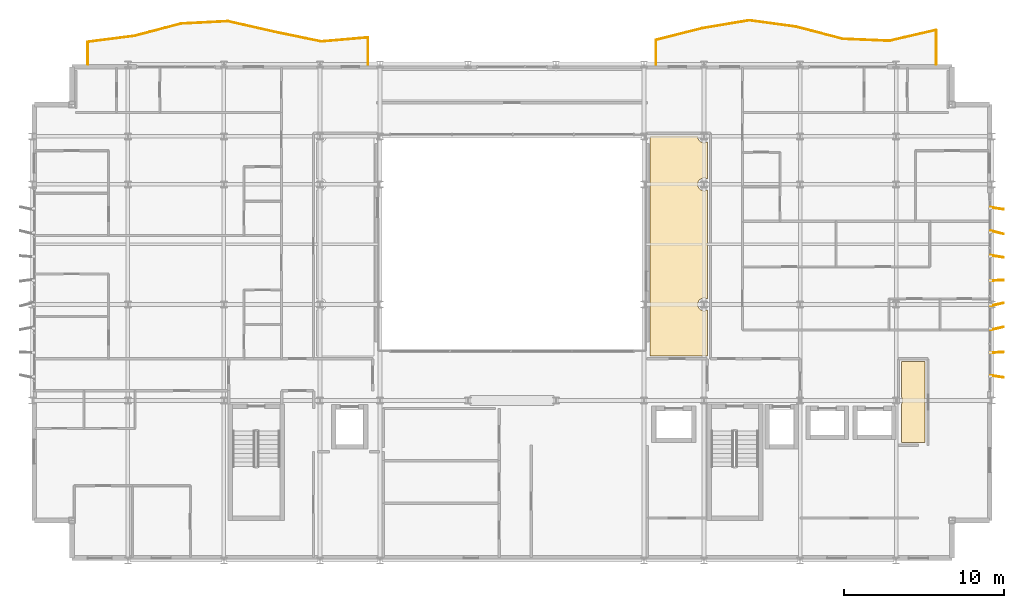
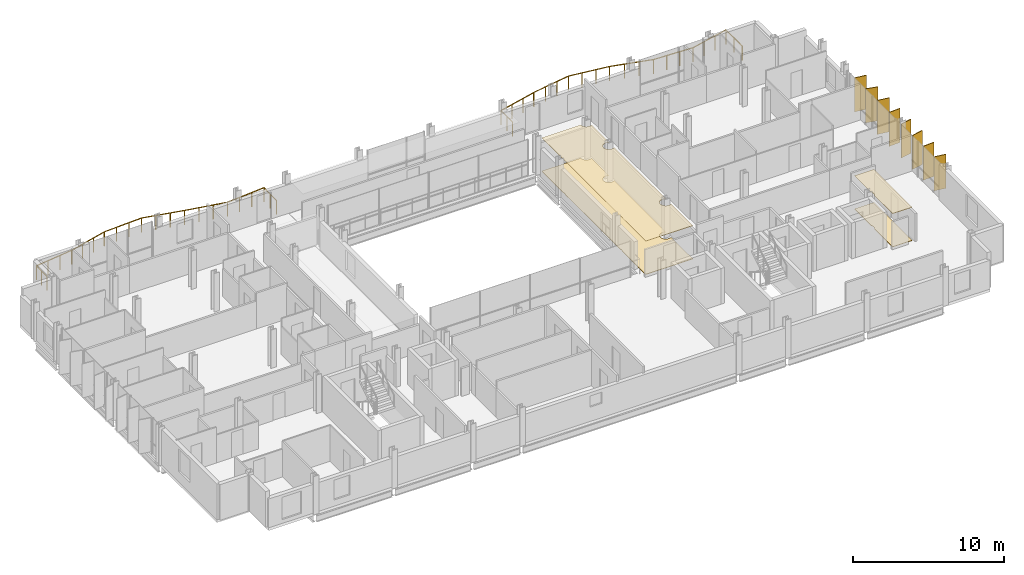
# One storey, part 38 of 38: 8 shading devices, 4 coverings, 2 railings.
"""IFC4 building model written with IfcOpenShell, lengths in metres."""

from ifc_helpers import new_model, si_unit, direction, frame, origin, origin_2d, place, context, subcontext, project, spatial, polyline, rectangle, circle, outline, extrude, material, layer, layer_set, type_object, element, save


model = new_model("IFC4")

# Units and contexts
model_context = context("Model", 3, precision=1e-05, world=origin(), true_north=direction((0.0, 1.0)))
body_context = subcontext(model_context, "Body", "Model", "MODEL_VIEW")
ifc_project = project(units=[si_unit("LENGTHUNIT", "METRE"), si_unit("AREAUNIT", "SQUARE_METRE"), si_unit("VOLUMEUNIT", "CUBIC_METRE"), si_unit("PLANEANGLEUNIT", "RADIAN"), si_unit("MASSUNIT", "GRAM", prefix="KILO")], contexts=[model_context])

# Site, building, storey
site_placement = place(None, origin())
site = spatial("IfcSite", under=ifc_project, at=site_placement, CompositionType="ELEMENT")
building_placement = place(site_placement, origin())
building = spatial("IfcBuilding", under=site, at=building_placement, Name="Brevholm Reach", CompositionType="ELEMENT")
storey_placement = place(building_placement, frame((0.0, 0.0, 141.800048828125)))
storey = spatial("IfcBuildingStorey", under=building, at=storey_placement, Name="L42", CompositionType="ELEMENT", Elevation=141.800048828125)

# Coverings
ifc_material_1 = material(Name="Moisture-Resistant Skimmed Gypsum Plasterboard Ceiling", Category="gypsum")
ifc_layer_1 = layer(ifc_material_1, 0.030029296875)
ifc_layer_set_1 = layer_set([ifc_layer_1], Name="Moisture-Resistant Skimmed Gypsum Plasterboard Ceiling")
covering_type_1 = type_object("IfcCoveringType", Name="COV-CLG-GYP", PredefinedType="CEILING", material=ifc_layer_set_1)
covering_1_placement = place(storey_placement, frame((0.0, 0.0, 2.679931640625)))
element("IfcCovering", 1, at=covering_1_placement, inside=storey, type_object=covering_type_1, Name="L42 Suspended Ceiling L42-22", PredefinedType="CEILING", context=body_context, shape_type="SweptSolid", body=[
    extrude(outline(polyline([(54.330078125, 9.7626953125), (54.33056640625, 9.764892578125), (54.33251953125, 9.777587890625), (54.33251953125, 9.77783203125), (54.352783203125, 9.811279296875), (54.36962890625, 9.846923828125), (54.3828125, 9.8837890625), (54.392333984375, 9.922119140625), (54.398193359375, 9.960693359375), (54.39990234375, 10.0), (54.398193359375, 10.039306640625), (54.392333984375, 10.077880859375), (54.3828125, 10.1162109375), (54.36962890625, 10.153076171875), (54.352783203125, 10.188720703125), (54.333984375, 10.219970703125), (54.333984375, 12.419921875), (55.81591796875, 12.419921875), (55.81591796875, 7.3798828125), (55.437255859375, 7.3798828125), (55.43505859375, 7.380615234375), (55.41748046875, 7.383056640625), (55.39990234375, 7.384033203125), (54.330078125, 7.384033203125), (54.330078125, 9.7626953125)])), origin(), (0.0, 0.0, 1.0), 0.030029296875),
])
covering_2_placement = place(storey_placement, frame((0.0, 0.0, 2.679931640625)))
element("IfcCovering", 2, at=covering_2_placement, inside=storey, type_object=covering_type_1, Name="L42 Suspended Ceiling L42-54", PredefinedType="CEILING", context=body_context, shape_type="SweptSolid", body=[
    extrude(outline(polyline([(38.6298828125, 15.876220703125), (38.6328125, 15.8837890625), (38.642333984375, 15.922119140625), (38.648193359375, 15.960693359375), (38.64990234375, 16.0), (38.648193359375, 16.039306640625), (38.642333984375, 16.077880859375), (38.6328125, 16.1162109375), (38.6298828125, 16.123779296875), (38.6298828125, 23.376220703125), (38.6328125, 23.3837890625), (38.642333984375, 23.422119140625), (38.648193359375, 23.460693359375), (38.64990234375, 23.5), (38.648193359375, 23.539306640625), (38.642333984375, 23.577880859375), (38.6328125, 23.6162109375), (38.6298828125, 23.623779296875), (38.6298828125, 26.376220703125), (38.6328125, 26.3837890625), (38.642333984375, 26.422119140625), (38.648193359375, 26.460693359375), (38.64990234375, 26.5), (38.649169921875, 26.51611328125), (41.600830078125, 26.51611328125), (41.60009765625, 26.5), (41.601806640625, 26.460693359375), (41.607666015625, 26.422119140625), (41.6171875, 26.3837890625), (41.63037109375, 26.346923828125), (41.647216796875, 26.311279296875), (41.66748046875, 26.27783203125), (41.69091796875, 26.24609375), (41.71728515625, 26.21728515625), (41.74609375, 26.19091796875), (41.77783203125, 26.16748046875), (41.811279296875, 26.147216796875), (41.846923828125, 26.13037109375), (41.8837890625, 26.1171875), (41.922119140625, 26.107666015625), (41.960693359375, 26.101806640625), (42.0, 26.10009765625), (42.039306640625, 26.101806640625), (42.077880859375, 26.107666015625), (42.1162109375, 26.1171875), (42.153076171875, 26.13037109375), (42.188720703125, 26.147216796875), (42.216064453125, 26.163818359375), (42.216064453125, 23.836181640625), (42.188720703125, 23.852783203125), (42.153076171875, 23.86962890625), (42.1162109375, 23.8828125), (42.077880859375, 23.892333984375), (42.039306640625, 23.898193359375), (42.0, 23.89990234375), (41.960693359375, 23.898193359375), (41.922119140625, 23.892333984375), (41.8837890625, 23.8828125), (41.846923828125, 23.86962890625), (41.811279296875, 23.852783203125), (41.77783203125, 23.83251953125), (41.74609375, 23.80908203125), (41.71728515625, 23.78271484375), (41.69091796875, 23.75390625), (41.66748046875, 23.72216796875), (41.647216796875, 23.688720703125), (41.63037109375, 23.653076171875), (41.6171875, 23.6162109375), (41.607666015625, 23.577880859375), (41.601806640625, 23.539306640625), (41.60009765625, 23.5), (41.601806640625, 23.460693359375), (41.607666015625, 23.422119140625), (41.6171875, 23.3837890625), (41.63037109375, 23.346923828125), (41.647216796875, 23.311279296875), (41.66748046875, 23.27783203125), (41.69091796875, 23.24609375), (41.71728515625, 23.21728515625), (41.74609375, 23.19091796875), (41.77783203125, 23.16748046875), (41.811279296875, 23.147216796875), (41.846923828125, 23.13037109375), (41.8837890625, 23.1171875), (41.922119140625, 23.107666015625), (41.960693359375, 23.101806640625), (42.0, 23.10009765625), (42.039306640625, 23.101806640625), (42.077880859375, 23.107666015625), (42.1162109375, 23.1171875), (42.153076171875, 23.13037109375), (42.188720703125, 23.147216796875), (42.216064453125, 23.163818359375), (42.216064453125, 16.336181640625), (42.188720703125, 16.352783203125), (42.153076171875, 16.36962890625), (42.1162109375, 16.3828125), (42.077880859375, 16.392333984375), (42.039306640625, 16.398193359375), (42.0, 16.39990234375), (41.960693359375, 16.398193359375), (41.922119140625, 16.392333984375), (41.8837890625, 16.3828125), (41.846923828125, 16.36962890625), (41.811279296875, 16.352783203125), (41.77783203125, 16.33251953125), (41.74609375, 16.30908203125), (41.71728515625, 16.28271484375), (41.69091796875, 16.25390625), (41.66748046875, 16.22216796875), (41.647216796875, 16.188720703125), (41.63037109375, 16.153076171875), (41.6171875, 16.1162109375), (41.607666015625, 16.077880859375), (41.601806640625, 16.039306640625), (41.60009765625, 16.0), (41.601806640625, 15.960693359375), (41.607666015625, 15.922119140625), (41.6171875, 15.8837890625), (41.63037109375, 15.846923828125), (41.647216796875, 15.811279296875), (41.66748046875, 15.77783203125), (41.69091796875, 15.74609375), (41.71728515625, 15.71728515625), (41.74609375, 15.69091796875), (41.77783203125, 15.66748046875), (41.811279296875, 15.647216796875), (41.846923828125, 15.63037109375), (41.8837890625, 15.6171875), (41.922119140625, 15.607666015625), (41.960693359375, 15.601806640625), (42.0, 15.60009765625), (42.039306640625, 15.601806640625), (42.077880859375, 15.607666015625), (42.1162109375, 15.6171875), (42.153076171875, 15.63037109375), (42.188720703125, 15.647216796875), (42.216064453125, 15.663818359375), (42.216064453125, 12.783935546875), (38.6298828125, 12.783935546875), (38.6298828125, 15.876220703125)])), origin(), (0.0, 0.0, 1.0), 0.030029296875),
])
ifc_material_2 = material(Name="Honed Portland-Aggregate Resin Terrazzo Flooring", Category="concrete")
ifc_layer_2 = layer(ifc_material_2, 0.031982421875)
ifc_layer_set_2 = layer_set([ifc_layer_2], Name="Honed Portland-Aggregate Resin Terrazzo Flooring")
covering_type_2 = type_object("IfcCoveringType", Name="COV-FLR-TRZ", PredefinedType="FLOORING", material=ifc_layer_set_2)
covering_3_placement = place(storey_placement, origin())
element("IfcCovering", 3, at=covering_3_placement, inside=storey, type_object=covering_type_2, Name="L42 Floor Finish L42-22", PredefinedType="FLOORING", context=body_context, shape_type="SweptSolid", body=[
    extrude(outline(polyline([(54.330078125, 9.7626953125), (54.33056640625, 9.764892578125), (54.33251953125, 9.777587890625), (54.33251953125, 9.77783203125), (54.352783203125, 9.811279296875), (54.36962890625, 9.846923828125), (54.3828125, 9.8837890625), (54.392333984375, 9.922119140625), (54.398193359375, 9.960693359375), (54.39990234375, 10.0), (54.398193359375, 10.039306640625), (54.392333984375, 10.077880859375), (54.3828125, 10.1162109375), (54.36962890625, 10.153076171875), (54.352783203125, 10.188720703125), (54.333984375, 10.219970703125), (54.333984375, 12.419921875), (55.81591796875, 12.419921875), (55.81591796875, 7.3798828125), (55.437255859375, 7.3798828125), (55.43505859375, 7.380615234375), (55.41748046875, 7.383056640625), (55.39990234375, 7.384033203125), (54.330078125, 7.384033203125), (54.330078125, 9.7626953125)])), origin(), (0.0, 0.0, 1.0), 0.031982421875),
])
covering_4_placement = place(storey_placement, origin())
element("IfcCovering", 4, at=covering_4_placement, inside=storey, type_object=covering_type_2, Name="L42 Floor Finish L42-54", PredefinedType="FLOORING", context=body_context, shape_type="SweptSolid", body=[
    extrude(outline(polyline([(38.6298828125, 15.876220703125), (38.6328125, 15.8837890625), (38.642333984375, 15.922119140625), (38.648193359375, 15.960693359375), (38.64990234375, 16.0), (38.648193359375, 16.039306640625), (38.642333984375, 16.077880859375), (38.6328125, 16.1162109375), (38.6298828125, 16.123779296875), (38.6298828125, 23.376220703125), (38.6328125, 23.3837890625), (38.642333984375, 23.422119140625), (38.648193359375, 23.460693359375), (38.64990234375, 23.5), (38.648193359375, 23.539306640625), (38.642333984375, 23.577880859375), (38.6328125, 23.6162109375), (38.6298828125, 23.623779296875), (38.6298828125, 26.376220703125), (38.6328125, 26.3837890625), (38.642333984375, 26.422119140625), (38.648193359375, 26.460693359375), (38.64990234375, 26.5), (38.649169921875, 26.51611328125), (41.600830078125, 26.51611328125), (41.60009765625, 26.5), (41.601806640625, 26.460693359375), (41.607666015625, 26.422119140625), (41.6171875, 26.3837890625), (41.63037109375, 26.346923828125), (41.647216796875, 26.311279296875), (41.66748046875, 26.27783203125), (41.69091796875, 26.24609375), (41.71728515625, 26.21728515625), (41.74609375, 26.19091796875), (41.77783203125, 26.16748046875), (41.811279296875, 26.147216796875), (41.846923828125, 26.13037109375), (41.8837890625, 26.1171875), (41.922119140625, 26.107666015625), (41.960693359375, 26.101806640625), (42.0, 26.10009765625), (42.039306640625, 26.101806640625), (42.077880859375, 26.107666015625), (42.1162109375, 26.1171875), (42.153076171875, 26.13037109375), (42.188720703125, 26.147216796875), (42.216064453125, 26.163818359375), (42.216064453125, 23.836181640625), (42.188720703125, 23.852783203125), (42.153076171875, 23.86962890625), (42.1162109375, 23.8828125), (42.077880859375, 23.892333984375), (42.039306640625, 23.898193359375), (42.0, 23.89990234375), (41.960693359375, 23.898193359375), (41.922119140625, 23.892333984375), (41.8837890625, 23.8828125), (41.846923828125, 23.86962890625), (41.811279296875, 23.852783203125), (41.77783203125, 23.83251953125), (41.74609375, 23.80908203125), (41.71728515625, 23.78271484375), (41.69091796875, 23.75390625), (41.66748046875, 23.72216796875), (41.647216796875, 23.688720703125), (41.63037109375, 23.653076171875), (41.6171875, 23.6162109375), (41.607666015625, 23.577880859375), (41.601806640625, 23.539306640625), (41.60009765625, 23.5), (41.601806640625, 23.460693359375), (41.607666015625, 23.422119140625), (41.6171875, 23.3837890625), (41.63037109375, 23.346923828125), (41.647216796875, 23.311279296875), (41.66748046875, 23.27783203125), (41.69091796875, 23.24609375), (41.71728515625, 23.21728515625), (41.74609375, 23.19091796875), (41.77783203125, 23.16748046875), (41.811279296875, 23.147216796875), (41.846923828125, 23.13037109375), (41.8837890625, 23.1171875), (41.922119140625, 23.107666015625), (41.960693359375, 23.101806640625), (42.0, 23.10009765625), (42.039306640625, 23.101806640625), (42.077880859375, 23.107666015625), (42.1162109375, 23.1171875), (42.153076171875, 23.13037109375), (42.188720703125, 23.147216796875), (42.216064453125, 23.163818359375), (42.216064453125, 16.336181640625), (42.188720703125, 16.352783203125), (42.153076171875, 16.36962890625), (42.1162109375, 16.3828125), (42.077880859375, 16.392333984375), (42.039306640625, 16.398193359375), (42.0, 16.39990234375), (41.960693359375, 16.398193359375), (41.922119140625, 16.392333984375), (41.8837890625, 16.3828125), (41.846923828125, 16.36962890625), (41.811279296875, 16.352783203125), (41.77783203125, 16.33251953125), (41.74609375, 16.30908203125), (41.71728515625, 16.28271484375), (41.69091796875, 16.25390625), (41.66748046875, 16.22216796875), (41.647216796875, 16.188720703125), (41.63037109375, 16.153076171875), (41.6171875, 16.1162109375), (41.607666015625, 16.077880859375), (41.601806640625, 16.039306640625), (41.60009765625, 16.0), (41.601806640625, 15.960693359375), (41.607666015625, 15.922119140625), (41.6171875, 15.8837890625), (41.63037109375, 15.846923828125), (41.647216796875, 15.811279296875), (41.66748046875, 15.77783203125), (41.69091796875, 15.74609375), (41.71728515625, 15.71728515625), (41.74609375, 15.69091796875), (41.77783203125, 15.66748046875), (41.811279296875, 15.647216796875), (41.846923828125, 15.63037109375), (41.8837890625, 15.6171875), (41.922119140625, 15.607666015625), (41.960693359375, 15.601806640625), (42.0, 15.60009765625), (42.039306640625, 15.601806640625), (42.077880859375, 15.607666015625), (42.1162109375, 15.6171875), (42.153076171875, 15.63037109375), (42.188720703125, 15.647216796875), (42.216064453125, 15.663818359375), (42.216064453125, 12.783935546875), (38.6298828125, 12.783935546875), (38.6298828125, 15.876220703125)])), origin(), (0.0, 0.0, 1.0), 0.031982421875),
])

# Railings
ifc_material_3 = material(Name="Brushed Stainless Steel EN 1.4401 and Laminated Glass", Category="steel")
railing_type = type_object("IfcRailingType", Name="RAL-BALC-1150", PredefinedType="BALUSTRADE", material=ifc_material_3)
railing_1_placement = place(storey_placement, frame((56.5, 31.0, 0.0)))
element("IfcRailing", 5, at=railing_1_placement, inside=storey, type_object=railing_type, Name="L42 Guard Balustrade RAL-L42-BAL-NE", PredefinedType="BALUSTRADE", context=body_context, shape_type="SweptSolid", body=[
    extrude(circle(Radius=0.02392578125, at=origin_2d()), frame((0.0, 0.0, 1.1259765625), z_axis=(0.0, 1.0, 0.0), x_axis=(-1.0, 0.0, 0.0)), (0.0, 0.0, 1.0), 2.1455078125),
    extrude(circle(Radius=0.02392578125, at=origin_2d()), frame((0.0, 2.1455078125, 1.1259765625), z_axis=(-0.974086615793, -0.226175296912, 0.0), x_axis=(0.226175296912, -0.974086615793, 0.0)), (0.0, 0.0, 1.0), 2.994384765625),
    extrude(circle(Radius=0.02392578125, at=origin_2d()), frame((-2.916748046875, 1.46826171875, 1.1259765625), z_axis=(-0.999139150441, 0.041484431493, 0.0), x_axis=(-0.041484431493, -0.999139150441, 0.0)), (0.0, 0.0, 1.0), 2.9189453125),
    extrude(circle(Radius=0.02392578125, at=origin_2d()), frame((-5.833251953125, 1.58935546875, 1.1259765625), z_axis=(-0.967668860758, 0.252224058961, 0.0), x_axis=(-0.252224058961, -0.967668860758, 0.0)), (0.0, 0.0, 1.0), 3.01416015625),
    extrude(circle(Radius=0.02392578125, at=origin_2d()), frame((-8.75, 2.349609375, 1.1259765625), z_axis=(-0.990787222307, 0.135427767141, 0.0), x_axis=(-0.135427767141, -0.990787222307, 0.0)), (0.0, 0.0, 1.0), 2.94384765625),
    extrude(circle(Radius=0.02392578125, at=origin_2d()), frame((-11.666748046875, 2.748291015625, 1.1259765625), z_axis=(-0.986326897089, -0.164800643445, 0.0), x_axis=(0.164800643445, -0.986326897089, 0.0)), (0.0, 0.0, 1.0), 2.95703125),
    extrude(circle(Radius=0.02392578125, at=origin_2d()), frame((-14.583251953125, 2.260986328125, 1.1259765625), z_axis=(-0.969908046993, -0.243471518618, 0.0), x_axis=(0.243471518618, -0.969908046993, 0.0)), (0.0, 0.0, 1.0), 3.00732421875),
    extrude(circle(Radius=0.02392578125, at=origin_2d()), frame((-17.5, 1.52880859375, 1.1259765625), z_axis=(0.0, -1.0, 0.0), x_axis=(1.0, 0.0, 0.0)), (0.0, 0.0, 1.0), 1.52880859375),
    extrude(circle(Radius=0.02099609375, at=origin_2d()), origin(), (0.0, 0.0, 1.0), 1.101806640625),
    extrude(circle(Radius=0.02099609375, at=origin_2d()), frame((0.0, 1.07275390625, 0.0)), (0.0, 0.0, 1.0), 1.101806640625),
    extrude(circle(Radius=0.02099609375, at=origin_2d()), frame((0.0, 2.1455078125, 0.0)), (0.0, 0.0, 1.0), 1.101806640625),
    extrude(circle(Radius=0.02099609375, at=origin_2d()), frame((-0.97216796875, 1.919677734375, 0.0)), (0.0, 0.0, 1.0), 1.101806640625),
    extrude(circle(Radius=0.02099609375, at=origin_2d()), frame((-1.944580078125, 1.694091796875, 0.0)), (0.0, 0.0, 1.0), 1.101806640625),
    extrude(circle(Radius=0.02099609375, at=origin_2d()), frame((-2.916748046875, 1.46826171875, 0.0)), (0.0, 0.0, 1.0), 1.101806640625),
    extrude(circle(Radius=0.02099609375, at=origin_2d()), frame((-3.888916015625, 1.508544921875, 0.0)), (0.0, 0.0, 1.0), 1.101806640625),
    extrude(circle(Radius=0.02099609375, at=origin_2d()), frame((-4.861083984375, 1.549072265625, 0.0)), (0.0, 0.0, 1.0), 1.101806640625),
    extrude(circle(Radius=0.02099609375, at=origin_2d()), frame((-5.833251953125, 1.58935546875, 0.0)), (0.0, 0.0, 1.0), 1.101806640625),
    extrude(circle(Radius=0.02099609375, at=origin_2d()), frame((-6.805419921875, 1.8427734375, 0.0)), (0.0, 0.0, 1.0), 1.101806640625),
    extrude(circle(Radius=0.02099609375, at=origin_2d()), frame((-7.77783203125, 2.09619140625, 0.0)), (0.0, 0.0, 1.0), 1.101806640625),
    extrude(circle(Radius=0.02099609375, at=origin_2d()), frame((-8.75, 2.349609375, 0.0)), (0.0, 0.0, 1.0), 1.101806640625),
    extrude(circle(Radius=0.02099609375, at=origin_2d()), frame((-9.72216796875, 2.482421875, 0.0)), (0.0, 0.0, 1.0), 1.101806640625),
    extrude(circle(Radius=0.02099609375, at=origin_2d()), frame((-10.694580078125, 2.615478515625, 0.0)), (0.0, 0.0, 1.0), 1.101806640625),
    extrude(circle(Radius=0.02099609375, at=origin_2d()), frame((-11.666748046875, 2.748291015625, 0.0)), (0.0, 0.0, 1.0), 1.101806640625),
    extrude(circle(Radius=0.02099609375, at=origin_2d()), frame((-12.638916015625, 2.5859375, 0.0)), (0.0, 0.0, 1.0), 1.101806640625),
    extrude(circle(Radius=0.02099609375, at=origin_2d()), frame((-13.611083984375, 2.42333984375, 0.0)), (0.0, 0.0, 1.0), 1.101806640625),
    extrude(circle(Radius=0.02099609375, at=origin_2d()), frame((-14.583251953125, 2.260986328125, 0.0)), (0.0, 0.0, 1.0), 1.101806640625),
    extrude(circle(Radius=0.02099609375, at=origin_2d()), frame((-15.555419921875, 2.016845703125, 0.0)), (0.0, 0.0, 1.0), 1.101806640625),
    extrude(circle(Radius=0.02099609375, at=origin_2d()), frame((-16.52783203125, 1.77294921875, 0.0)), (0.0, 0.0, 1.0), 1.101806640625),
    extrude(circle(Radius=0.02099609375, at=origin_2d()), frame((-17.5, 1.52880859375, 0.0)), (0.0, 0.0, 1.0), 1.101806640625),
    extrude(circle(Radius=0.02099609375, at=origin_2d()), frame((-17.5, 0.764404296875, 0.0)), (0.0, 0.0, 1.0), 1.101806640625),
    extrude(circle(Radius=0.02099609375, at=origin_2d()), frame((-17.5, 0.0, 0.0)), (0.0, 0.0, 1.0), 1.101806640625),
])
railing_2_placement = place(storey_placement, frame((21.0, 31.0, 0.0)))
element("IfcRailing", 6, at=railing_2_placement, inside=storey, type_object=railing_type, Name="L42 Guard Balustrade RAL-L42-BAL-NW", PredefinedType="BALUSTRADE", context=body_context, shape_type="SweptSolid", body=[
    extrude(circle(Radius=0.02392578125, at=origin_2d()), frame((0.0, 0.0, 1.1259765625), z_axis=(0.0, 1.0, 0.0), x_axis=(-1.0, 0.0, 0.0)), (0.0, 0.0, 1.0), 1.67822265625),
    extrude(circle(Radius=0.02392578125, at=origin_2d()), frame((0.0, 1.67822265625, 1.1259765625), z_axis=(-0.996282713287, -0.086143805376, 0.0), x_axis=(0.086143805376, -0.996282713287, 0.0)), (0.0, 0.0, 1.0), 2.927734375),
    extrude(circle(Radius=0.02392578125, at=origin_2d()), frame((-2.916748046875, 1.426025390625, 1.1259765625), z_axis=(-0.979367411888, 0.202087784221, 0.0), x_axis=(-0.202087784221, -0.979367411888, 0.0)), (0.0, 0.0, 1.0), 2.97802734375),
    extrude(circle(Radius=0.02392578125, at=origin_2d()), frame((-5.833251953125, 2.02783203125, 1.1259765625), z_axis=(-0.975066268344, 0.221913884961, 0.0), x_axis=(-0.221913884961, -0.975066268344, 0.0)), (0.0, 0.0, 1.0), 2.991455078125),
    extrude(circle(Radius=0.02392578125, at=origin_2d()), frame((-8.75, 2.691650390625, 1.1259765625), z_axis=(-0.998720239463, -0.050575520622, 0.0), x_axis=(0.050575520622, -0.998720239463, 0.0)), (0.0, 0.0, 1.0), 2.92041015625),
    extrude(circle(Radius=0.02392578125, at=origin_2d()), frame((-11.666748046875, 2.5439453125, 1.1259765625), z_axis=(-0.967287116441, -0.253684123205, 0.0), x_axis=(0.253684123205, -0.967287116441, 0.0)), (0.0, 0.0, 1.0), 3.01513671875),
    extrude(circle(Radius=0.02392578125, at=origin_2d()), frame((-14.583251953125, 1.779052734375, 1.1259765625), z_axis=(-0.991825721968, -0.127599910828, 0.0), x_axis=(0.127599910828, -0.991825721968, 0.0)), (0.0, 0.0, 1.0), 2.940673828125),
    extrude(circle(Radius=0.02392578125, at=origin_2d()), frame((-17.5, 1.40380859375, 1.1259765625), z_axis=(0.0, -1.0, 0.0), x_axis=(1.0, 0.0, 0.0)), (0.0, 0.0, 1.0), 1.40380859375),
    extrude(circle(Radius=0.02099609375, at=origin_2d()), origin(), (0.0, 0.0, 1.0), 1.101806640625),
    extrude(circle(Radius=0.02099609375, at=origin_2d()), frame((0.0, 0.839111328125, 0.0)), (0.0, 0.0, 1.0), 1.101806640625),
    extrude(circle(Radius=0.02099609375, at=origin_2d()), frame((0.0, 1.67822265625, 0.0)), (0.0, 0.0, 1.0), 1.101806640625),
    extrude(circle(Radius=0.02099609375, at=origin_2d()), frame((-0.97216796875, 1.59423828125, 0.0)), (0.0, 0.0, 1.0), 1.101806640625),
    extrude(circle(Radius=0.02099609375, at=origin_2d()), frame((-1.944580078125, 1.510009765625, 0.0)), (0.0, 0.0, 1.0), 1.101806640625),
    extrude(circle(Radius=0.02099609375, at=origin_2d()), frame((-2.916748046875, 1.426025390625, 0.0)), (0.0, 0.0, 1.0), 1.101806640625),
    extrude(circle(Radius=0.02099609375, at=origin_2d()), frame((-3.888916015625, 1.626708984375, 0.0)), (0.0, 0.0, 1.0), 1.101806640625),
    extrude(circle(Radius=0.02099609375, at=origin_2d()), frame((-4.861083984375, 1.8271484375, 0.0)), (0.0, 0.0, 1.0), 1.101806640625),
    extrude(circle(Radius=0.02099609375, at=origin_2d()), frame((-5.833251953125, 2.02783203125, 0.0)), (0.0, 0.0, 1.0), 1.101806640625),
    extrude(circle(Radius=0.02099609375, at=origin_2d()), frame((-6.805419921875, 2.2490234375, 0.0)), (0.0, 0.0, 1.0), 1.101806640625),
    extrude(circle(Radius=0.02099609375, at=origin_2d()), frame((-7.77783203125, 2.470458984375, 0.0)), (0.0, 0.0, 1.0), 1.101806640625),
    extrude(circle(Radius=0.02099609375, at=origin_2d()), frame((-8.75, 2.691650390625, 0.0)), (0.0, 0.0, 1.0), 1.101806640625),
    extrude(circle(Radius=0.02099609375, at=origin_2d()), frame((-9.72216796875, 2.642333984375, 0.0)), (0.0, 0.0, 1.0), 1.101806640625),
    extrude(circle(Radius=0.02099609375, at=origin_2d()), frame((-10.694580078125, 2.59326171875, 0.0)), (0.0, 0.0, 1.0), 1.101806640625),
    extrude(circle(Radius=0.02099609375, at=origin_2d()), frame((-11.666748046875, 2.5439453125, 0.0)), (0.0, 0.0, 1.0), 1.101806640625),
    extrude(circle(Radius=0.02099609375, at=origin_2d()), frame((-12.638916015625, 2.2890625, 0.0)), (0.0, 0.0, 1.0), 1.101806640625),
    extrude(circle(Radius=0.02099609375, at=origin_2d()), frame((-13.611083984375, 2.033935546875, 0.0)), (0.0, 0.0, 1.0), 1.101806640625),
    extrude(circle(Radius=0.02099609375, at=origin_2d()), frame((-14.583251953125, 1.779052734375, 0.0)), (0.0, 0.0, 1.0), 1.101806640625),
    extrude(circle(Radius=0.02099609375, at=origin_2d()), frame((-15.555419921875, 1.654052734375, 0.0)), (0.0, 0.0, 1.0), 1.101806640625),
    extrude(circle(Radius=0.02099609375, at=origin_2d()), frame((-16.52783203125, 1.52880859375, 0.0)), (0.0, 0.0, 1.0), 1.101806640625),
    extrude(circle(Radius=0.02099609375, at=origin_2d()), frame((-17.5, 1.40380859375, 0.0)), (0.0, 0.0, 1.0), 1.101806640625),
    extrude(circle(Radius=0.02099609375, at=origin_2d()), frame((-17.5, 0.701904296875, 0.0)), (0.0, 0.0, 1.0), 1.101806640625),
    extrude(circle(Radius=0.02099609375, at=origin_2d()), frame((-17.5, 0.0, 0.0)), (0.0, 0.0, 1.0), 1.101806640625),
])

# Shading devices
ifc_material_4 = material(Name="Perforated Champagne-Bronze Anodised Aluminium", Category="aluminium")
ifc_layer_3 = layer(ifc_material_4, 0.054931640625)
ifc_layer_set_3 = layer_set([ifc_layer_3], Name="Perforated Champagne-Bronze Anodised Aluminium")
shading_device_type = type_object("IfcShadingDeviceType", Name="SHD-FIN-850", PredefinedType="USERDEFINED", material=ifc_layer_set_3)
for number, where, z_axis, x_axis, name in (
    (7, (60.31494140625, 11.5, 0.06982421875), (0.0, 0.0, 1.0), (0.988857937462, -0.148862283734, 0.0), "L42 Perforated Solar Screen Fin 1"),
    (8, (60.31494140625, 13.0, 0.06982421875), (0.0, 0.0, 1.0), (0.998318628496, 0.057964782401, 0.0), "L42 Perforated Solar Screen Fin 2"),
    (9, (60.31494140625, 14.5, 0.06982421875), (0.0, 0.0, 1.0), (0.975515355031, 0.219931334964, 0.0), "L42 Perforated Solar Screen Fin 3"),
    (10, (60.31494140625, 16.0, 0.06982421875), (0.0, 0.0, 1.0), (0.976220395964, 0.216780392341, 0.0), "L42 Perforated Solar Screen Fin 4"),
    (11, (60.31494140625, 17.5, 0.06982421875), (0.0, 0.0, 1.0), (0.998713168637, 0.050714956286, 0.0), "L42 Perforated Solar Screen Fin 5"),
    (12, (60.31494140625, 19.0, 0.06982421875), (0.0, 0.0, 1.0), (0.987973363036, -0.154624169948, 0.0), "L42 Perforated Solar Screen Fin 6"),
    (13, (60.31494140625, 20.5, 0.06982421875), (0.0, 0.0, 1.0), (0.970304170352, -0.241888025742, 0.0), "L42 Perforated Solar Screen Fin 7"),
    (14, (60.31494140625, 22.0, 0.06982421875), (0.0, 0.0, 1.0), (0.988857937462, -0.148862283734, 0.0), "L42 Perforated Solar Screen Fin 8"),
):
    element("IfcShadingDevice", number, at=place(storey_placement, frame(where, z_axis=z_axis, x_axis=x_axis)), inside=storey, type_object=shading_device_type, Name=name, ObjectType="SCREEN", PredefinedType="USERDEFINED", context=body_context, shape_type="SweptSolid", body=[
        extrude(rectangle(XDim=0.85009765625, YDim=0.054931640625, at=origin_2d()), origin(), (0.0, 0.0, 1.0), 2.739990234375),
    ])

save(model, "model.ifc")
